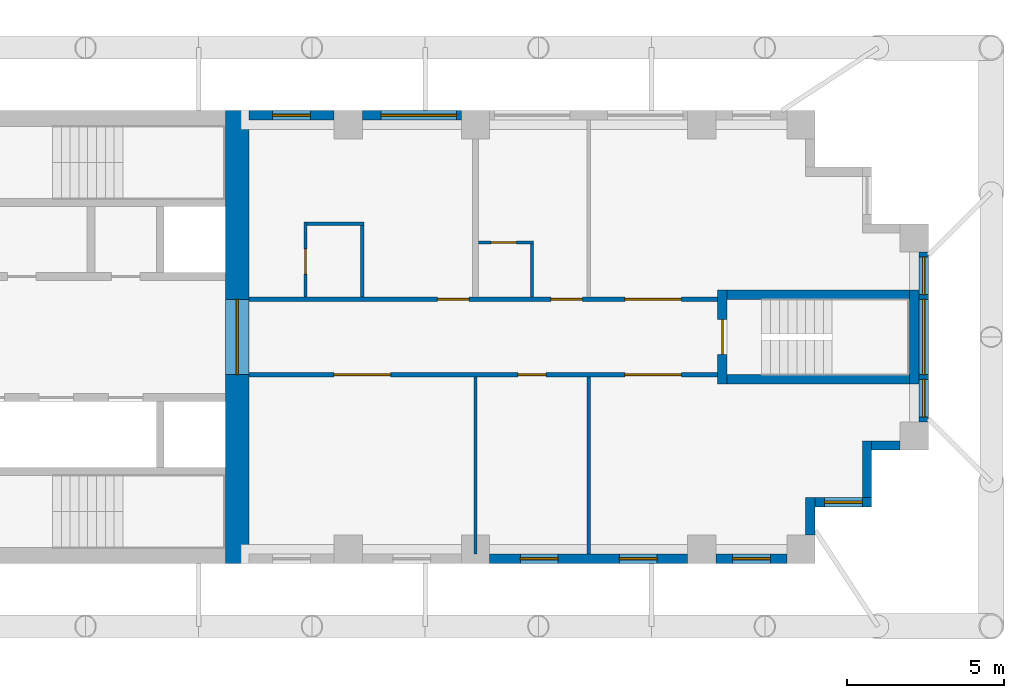
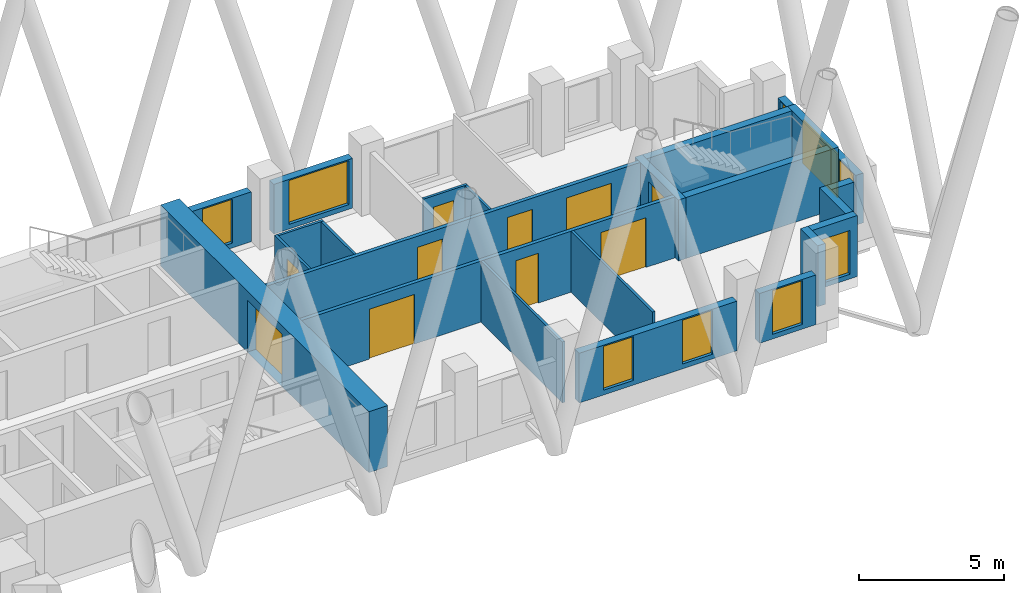
# One storey, part 10 of 14: 23 walls, 10 doors, 9 windows, 19 openings.
"""IFC4 building model written with IfcOpenShell, lengths in metres."""

import ifcopenshell
import ifcopenshell.guid

model = None  # the IFC model being written
_history = None  # IfcOwnerHistory: only IFC2X3 demands one
_inside = {}  # id of a spatial element -> (the spatial element, [elements in it])
_under = {}  # id of a project, library or spatial element -> (it, [spatial elements below it])
_declared = {}  # id of a project -> (the project, [libraries it declares])
_typed = {}  # id of a type object -> (the type object, [elements of that type])
_made_of = {}  # id of a material, layer set ... -> (it, [elements and type objects made of it])


def new_model(schema):
    """Start an empty IFC model of exactly this schema.

    Asked for "IFC4X3", IfcOpenShell would pick the latest addendum, in which some entities
    have other attributes; the version numbers below select the first issue.
    IFC2X3 requires an IfcOwnerHistory on every rooted entity: one is made here for all.
    """
    global model, _history
    if schema == "IFC4X3":
        model = ifcopenshell.file(schema_version=(4, 3, 0, 0))
    else:
        model = ifcopenshell.file(schema=schema)
    _inside.clear()
    _under.clear()
    _declared.clear()
    _typed.clear()
    _made_of.clear()
    _history = None
    if model.schema == "IFC2X3":
        org = make("IfcOrganization", Name="unknown")
        user = make(
            "IfcPersonAndOrganization",
            ThePerson=make("IfcPerson", FamilyName="unknown"),
            TheOrganization=org,
        )
        app = make(
            "IfcApplication",
            ApplicationDeveloper=org,
            Version="unknown",
            ApplicationFullName="unknown",
            ApplicationIdentifier="unknown",
        )
        _history = make(
            "IfcOwnerHistory",
            OwningUser=user,
            OwningApplication=app,
            ChangeAction="ADDED",
            CreationDate=0,
        )
    return model


def make(cls, **values):
    """One entity of the class cls with the attributes given. An attribute that is None is left unset."""
    return model.create_entity(
        cls, **{name: value for name, value in values.items() if value is not None}
    )


def rooted(cls, **values):
    """An entity with a GlobalId (a new one), such as an element, a storey or a relation."""
    return make(cls, GlobalId=ifcopenshell.guid.new(), OwnerHistory=_history, **values)


def si_unit(unit_type, name, prefix=None):
    """IfcSIUnit, for example si_unit("LENGTHUNIT", "METRE", prefix="MILLI")."""
    return make("IfcSIUnit", UnitType=unit_type, Prefix=prefix, Name=name)


def assignment(units):
    """IfcUnitAssignment: the units of a project."""
    return None if units is None else make("IfcUnitAssignment", Units=units)


def point(xyz):
    """IfcCartesianPoint."""
    return None if xyz is None else make("IfcCartesianPoint", Coordinates=xyz)


def direction(xyz):
    """IfcDirection."""
    return None if xyz is None else make("IfcDirection", DirectionRatios=xyz)


def frame(location, z_axis=None, x_axis=None):
    """IfcAxis2Placement3D, a coordinate frame: its origin and axes. An axis left out is left unset."""
    return make(
        "IfcAxis2Placement3D",
        Location=point(location),
        Axis=direction(z_axis),
        RefDirection=direction(x_axis),
    )


def frame_2d(location, x_axis=None):
    """IfcAxis2Placement2D, a coordinate frame in the plane: its origin and x axis."""
    return make(
        "IfcAxis2Placement2D", Location=point(location), RefDirection=direction(x_axis)
    )


def origin():
    """The frame at (0, 0, 0) with its axes left unset."""
    return frame((0.0, 0.0, 0.0))


def place(relative_to, where):
    """IfcLocalPlacement: puts the frame where relative to a parent placement (None: the world)."""
    return make(
        "IfcLocalPlacement", PlacementRelTo=relative_to, RelativePlacement=where
    )


def context(
    kind, dimensions, precision=None, world=None, true_north=None, identifier=None
):
    """IfcGeometricRepresentationContext, for example the 3D "Model" context."""
    return make(
        "IfcGeometricRepresentationContext",
        ContextIdentifier=identifier,
        ContextType=kind,
        CoordinateSpaceDimension=dimensions,
        Precision=precision,
        WorldCoordinateSystem=world,
        TrueNorth=true_north,
    )


def subcontext(parent, identifier, kind, view, scale=None):
    """IfcGeometricRepresentationSubContext, for example "Body" below "Model"."""
    return make(
        "IfcGeometricRepresentationSubContext",
        ContextIdentifier=identifier,
        ContextType=kind,
        ParentContext=parent,
        TargetScale=scale,
        TargetView=view,
    )


def project(units=None, contexts=None):
    """IfcProject with its units and contexts."""
    return rooted(
        "IfcProject",
        Name="project",
        RepresentationContexts=contexts,
        UnitsInContext=assignment(units),
    )


def spatial(cls, under=None, at=None, **own):
    """A site, building, storey or space (cls), placed at a placement, below another one or the project."""
    s = rooted(cls, ObjectPlacement=at, **own)
    if under is not None:
        _under.setdefault(under.id(), (under, []))[1].append(s)
    return s


def profile(cls, at=None, kind="AREA", **sizes):
    """A parametric profile (cls). Its sizes go by their IFC names, for example OverallWidth=200.0."""
    return make(cls, ProfileType=kind, Position=at, **sizes)


def rectangle(**sizes):
    """IfcRectangleProfileDef."""
    return profile("IfcRectangleProfileDef", **sizes)


def extrude(swept, where, along, depth):
    """IfcExtrudedAreaSolid: the profile swept, set in the frame where, extruded along a direction by depth."""
    return make(
        "IfcExtrudedAreaSolid",
        SweptArea=swept,
        Position=where,
        ExtrudedDirection=direction(along),
        Depth=depth,
    )


def shape(context_of_items, identifier, shape_type, items):
    """IfcShapeRepresentation: the items that make up one representation, for example the "Body"."""
    return make(
        "IfcShapeRepresentation",
        ContextOfItems=context_of_items,
        RepresentationIdentifier=identifier,
        RepresentationType=shape_type,
        Items=items,
    )


def material(Name=None, Category=None):
    """IfcMaterial."""
    return make("IfcMaterial", Name=Name, Category=Category)


def layer(
    of_material, thickness, ventilated=None, Name=None, Category=None, Priority=None
):
    """IfcMaterialLayer: one layer of a wall or slab, of a material (None: an air gap)."""
    return make(
        "IfcMaterialLayer",
        Material=of_material,
        LayerThickness=thickness,
        IsVentilated=ventilated,
        Name=Name,
        Category=Category,
        Priority=Priority,
    )


def layer_set(layers, Name=None):
    """IfcMaterialLayerSet."""
    return make("IfcMaterialLayerSet", MaterialLayers=layers, LayerSetName=Name)


def made_of(thing, what):
    """Note that an element or type object is made of a material, layer set ...; save() writes the relation."""
    if what is not None:
        _made_of.setdefault(what.id(), (what, []))[1].append(thing)
    return thing


def type_object(cls, material=None, **own):
    """A type object (cls), such as IfcWallType, which elements share."""
    return made_of(rooted(cls, **own), material)


def element(
    cls,
    number,
    at=None,
    inside=None,
    cuts=None,
    type_object=None,
    material=None,
    context=None,
    identifier="Body",
    shape_type=None,
    held_by="IfcProductDefinitionShape",
    body=None,
    shapes=None,
    **own,
):
    """One element of the class cls, such as IfcWall. Its Tag is "e" and its number.

    at: its placement. inside: the storey or other place that contains it. cuts: it is an
    opening in that element (IfcRelVoidsElement). A single representation is given by context,
    identifier, shape_type and body (its items); several are given by shapes. held_by: the class
    of the entity that holds the representations. save() writes the other relations.
    """
    e = rooted(cls, Tag="e%d" % number, ObjectPlacement=at, **own)
    if body is not None:
        shapes = [shape(context, identifier, shape_type, body)]
    if shapes is not None:
        e.Representation = make(held_by, Representations=shapes)
    if inside is not None:
        _inside.setdefault(inside.id(), (inside, []))[1].append(e)
    if cuts is not None:
        rooted(
            "IfcRelVoidsElement", RelatingBuildingElement=cuts, RelatedOpeningElement=e
        )
    if type_object is not None:
        _typed.setdefault(type_object.id(), (type_object, []))[1].append(e)
    return made_of(e, material)


def fill(opening, filler):
    """IfcRelFillsElement: the door or window that sits in an opening."""
    return rooted(
        "IfcRelFillsElement",
        RelatingOpeningElement=opening,
        RelatedBuildingElement=filler,
    )


def aggregate(whole, parts):
    """IfcRelAggregates: a whole, such as a stair, and the parts it consists of."""
    return rooted("IfcRelAggregates", RelatingObject=whole, RelatedObjects=parts)


def save(model, path):
    """Write the relations noted so far, then the file.

    IfcRelAggregates (storeys below a building ...), IfcRelContainedInSpatialStructure (elements
    in a storey), IfcRelDefinesByType, IfcRelAssociatesMaterial and IfcRelDeclares: one each for
    every whole, place, type object, material and project.
    """
    for whole, parts in _under.values():
        aggregate(whole, parts)
    for where, things in _inside.values():
        rooted(
            "IfcRelContainedInSpatialStructure",
            RelatedElements=things,
            RelatingStructure=where,
        )
    for kind, things in _typed.values():
        rooted("IfcRelDefinesByType", RelatedObjects=things, RelatingType=kind)
    for what, things in _made_of.values():
        rooted("IfcRelAssociatesMaterial", RelatedObjects=things, RelatingMaterial=what)
    for by, libraries in _declared.values():
        rooted("IfcRelDeclares", RelatingContext=by, RelatedDefinitions=libraries)
    model.write(path)


model = new_model("IFC4")

# Units and contexts
model_context = context("Model", 3, precision=1e-05, world=origin(), true_north=direction((0.0, 1.0)))
body_context = subcontext(model_context, "Body", "Model", "MODEL_VIEW")
ifc_project = project(units=[si_unit("LENGTHUNIT", "METRE"), si_unit("AREAUNIT", "SQUARE_METRE"), si_unit("VOLUMEUNIT", "CUBIC_METRE"), si_unit("PLANEANGLEUNIT", "RADIAN"), si_unit("MASSUNIT", "GRAM", prefix="KILO")], contexts=[model_context])

# Site, building, storey
site_placement = place(None, origin())
site = spatial("IfcSite", under=ifc_project, at=site_placement, CompositionType="ELEMENT")
building_placement = place(site_placement, origin())
building = spatial("IfcBuilding", under=site, at=building_placement, Name="Fustian Cross Tower", CompositionType="ELEMENT")
storey_placement = place(building_placement, frame((0.0, 0.0, 90.89990234375)))
storey = spatial("IfcBuildingStorey", under=building, at=storey_placement, Name="L28", CompositionType="ELEMENT", Elevation=90.89990234375)

# Wall, openings, doors
ifc_material_1 = material(Name="Plasterboard on steel stud", Category="steel")
ifc_layer_1 = layer(ifc_material_1, 0.14990234375)
ifc_layer_set_1 = layer_set([ifc_layer_1], Name="Plasterboard on steel stud")
wall_type_1 = type_object("IfcWallType", Name="COMPARTMENT WALL 150 EI 60", PredefinedType="PARTITIONING", material=ifc_layer_set_1)
wall_1_placement = place(storey_placement, frame((21.60009765625, -1.199951171875, 0.0), z_axis=(0.0, 0.0, 1.0), x_axis=(1.0, 0.0, 0.0)))
wall_1 = element("IfcWall", 1, at=wall_1_placement, inside=storey, type_object=wall_type_1, Name="Partition 70", PredefinedType="PARTITIONING", context=body_context, shape_type="SweptSolid", body=[
    extrude(rectangle(XDim=14.89990234375, YDim=0.14990234375, at=frame_2d((7.449951171875, 0.0))), origin(), (0.0, 0.0, 1.0), 2.5751953125),
])
opening_1_placement = place(wall_1_placement, frame((2.699951171875, 0.0, 0.0)))
opening_1 = element("IfcOpeningElement", 2, at=opening_1_placement, cuts=wall_1, Name="Opening D13014", PredefinedType="OPENING", context=body_context, shape_type="SweptSolid", body=[
    extrude(rectangle(XDim=1.800048828125, YDim=2.10009765625, at=frame_2d((0.89990234375, 1.050048828125))), frame((0.0, 0.0849609375, 0.0), z_axis=(0.0, -1.0, 0.0), x_axis=(1.0, 0.0, 0.0)), (0.0, 0.0, 1.0), 0.169921875),
])
opening_2_placement = place(wall_1_placement, frame((8.550048828125, 0.0, 0.0)))
opening_2 = element("IfcOpeningElement", 3, at=opening_2_placement, cuts=wall_1, Name="Opening D13015", PredefinedType="OPENING", context=body_context, shape_type="SweptSolid", body=[
    extrude(rectangle(XDim=0.89990234375, YDim=2.10009765625, at=frame_2d((0.449951171875, 1.050048828125))), frame((0.0, 0.0849609375, 0.0), z_axis=(0.0, -1.0, 0.0), x_axis=(1.0, 0.0, 0.0)), (0.0, 0.0, 1.0), 0.169921875),
])
opening_3_placement = place(wall_1_placement, frame((11.949951171875, 0.0, 0.0)))
opening_3 = element("IfcOpeningElement", 4, at=opening_3_placement, cuts=wall_1, Name="Opening D13016", PredefinedType="OPENING", context=body_context, shape_type="SweptSolid", body=[
    extrude(rectangle(XDim=1.800048828125, YDim=2.10009765625, at=frame_2d((0.89990234375, 1.050048828125))), frame((0.0, 0.0849609375, 0.0), z_axis=(0.0, -1.0, 0.0), x_axis=(1.0, 0.0, 0.0)), (0.0, 0.0, 1.0), 0.169921875),
])
ifc_material_2 = material(Name="Timber fire door set", Category="wood")
door_type_1 = type_object("IfcDoorType", Name="FIRE DOUBLE DOOR 1800 FD30S", OperationType="DOUBLE_DOOR_DOUBLE_SWING", PredefinedType="DOOR", material=ifc_material_2)
door_1_placement = place(opening_1_placement, origin())
door_1 = element("IfcDoor", 5, at=door_1_placement, inside=storey, type_object=door_type_1, Name="Door D13014", OperationType="DOUBLE_DOOR_DOUBLE_SWING", OverallHeight=2.10009765625, OverallWidth=1.800048828125, PredefinedType="DOOR", context=body_context, shape_type="SweptSolid", body=[
    extrude(rectangle(XDim=1.800048828125, YDim=2.10009765625, at=frame_2d((0.89990234375, 1.050048828125))), frame((0.0, 0.02490234375, 0.0), z_axis=(0.0, -1.0, 0.0), x_axis=(1.0, 0.0, 0.0)), (0.0, 0.0, 1.0), 0.050048828125),
])
fill(opening_1, door_1)
door_2_placement = place(opening_3_placement, origin())
door_2 = element("IfcDoor", 6, at=door_2_placement, inside=storey, type_object=door_type_1, Name="Door D13016", OperationType="DOUBLE_DOOR_DOUBLE_SWING", OverallHeight=2.10009765625, OverallWidth=1.800048828125, PredefinedType="DOOR", context=body_context, shape_type="SweptSolid", body=[
    extrude(rectangle(XDim=1.800048828125, YDim=2.10009765625, at=frame_2d((0.89990234375, 1.050048828125))), frame((0.0, 0.02490234375, 0.0), z_axis=(0.0, -1.0, 0.0), x_axis=(1.0, 0.0, 0.0)), (0.0, 0.0, 1.0), 0.050048828125),
])
fill(opening_3, door_2)
ifc_material_3 = material(Name="Timber fire door set", Category="wood")
door_type_2 = type_object("IfcDoorType", Name="FIRE SWING DOOR 900 FD30S", OperationType="SINGLE_SWING_LEFT", PredefinedType="DOOR", material=ifc_material_3)
door_3_placement = place(opening_2_placement, frame((0.89990234375, 0.0, 0.0), z_axis=(0.0, 0.0, 1.0), x_axis=(-1.0, 0.0, 0.0)))
door_3 = element("IfcDoor", 7, at=door_3_placement, inside=storey, type_object=door_type_2, Name="Door D13015", OperationType="SINGLE_SWING_RIGHT", OverallHeight=2.10009765625, OverallWidth=0.89990234375, PredefinedType="DOOR", context=body_context, shape_type="SweptSolid", body=[
    extrude(rectangle(XDim=0.89990234375, YDim=2.10009765625, at=frame_2d((0.449951171875, 1.050048828125))), frame((0.0, 0.02490234375, 0.0), z_axis=(0.0, -1.0, 0.0), x_axis=(1.0, 0.0, 0.0)), (0.0, 0.0, 1.0), 0.050048828125),
])
fill(opening_2, door_3)

wall_2_placement = place(storey_placement, frame((21.60009765625, 1.199951171875, 0.0), z_axis=(0.0, 0.0, 1.0), x_axis=(1.0, 0.0, 0.0)))
wall_2 = element("IfcWall", 8, at=wall_2_placement, inside=storey, type_object=wall_type_1, Name="Partition 71", PredefinedType="PARTITIONING", context=body_context, shape_type="SweptSolid", body=[
    extrude(rectangle(XDim=14.89990234375, YDim=0.14990234375, at=frame_2d((7.449951171875, 0.0))), origin(), (0.0, 0.0, 1.0), 2.5751953125),
])
opening_4_placement = place(wall_2_placement, frame((6.0, 0.0, 0.0)))
opening_4 = element("IfcOpeningElement", 9, at=opening_4_placement, cuts=wall_2, Name="Opening D13010", PredefinedType="OPENING", context=body_context, shape_type="SweptSolid", body=[
    extrude(rectangle(XDim=1.0, YDim=2.10009765625, at=frame_2d((0.5, 1.050048828125))), frame((0.0, 0.0849609375, 0.0), z_axis=(0.0, -1.0, 0.0), x_axis=(1.0, 0.0, 0.0)), (0.0, 0.0, 1.0), 0.169921875),
])
opening_5_placement = place(wall_2_placement, frame((9.60009765625, 0.0, 0.0)))
opening_5 = element("IfcOpeningElement", 10, at=opening_5_placement, cuts=wall_2, Name="Opening D13012", PredefinedType="OPENING", context=body_context, shape_type="SweptSolid", body=[
    extrude(rectangle(XDim=1.0, YDim=2.10009765625, at=frame_2d((0.5, 1.050048828125))), frame((0.0, 0.0849609375, 0.0), z_axis=(0.0, -1.0, 0.0), x_axis=(1.0, 0.0, 0.0)), (0.0, 0.0, 1.0), 0.169921875),
])
opening_6_placement = place(wall_2_placement, frame((11.949951171875, 0.0, 0.0)))
opening_6 = element("IfcOpeningElement", 11, at=opening_6_placement, cuts=wall_2, Name="Opening D13013", PredefinedType="OPENING", context=body_context, shape_type="SweptSolid", body=[
    extrude(rectangle(XDim=1.800048828125, YDim=2.10009765625, at=frame_2d((0.89990234375, 1.050048828125))), frame((0.0, 0.0849609375, 0.0), z_axis=(0.0, -1.0, 0.0), x_axis=(1.0, 0.0, 0.0)), (0.0, 0.0, 1.0), 0.169921875),
])
door_4_placement = place(opening_6_placement, frame((1.800048828125, 0.0, 0.0), z_axis=(0.0, 0.0, 1.0), x_axis=(-1.0, 0.0, 0.0)))
door_4 = element("IfcDoor", 12, at=door_4_placement, inside=storey, type_object=door_type_1, Name="Door D13013", OperationType="DOUBLE_DOOR_DOUBLE_SWING", OverallHeight=2.10009765625, OverallWidth=1.800048828125, PredefinedType="DOOR", context=body_context, shape_type="SweptSolid", body=[
    extrude(rectangle(XDim=1.800048828125, YDim=2.10009765625, at=frame_2d((0.89990234375, 1.050048828125))), frame((0.0, 0.02490234375, 0.0), z_axis=(0.0, -1.0, 0.0), x_axis=(1.0, 0.0, 0.0)), (0.0, 0.0, 1.0), 0.050048828125),
])
fill(opening_6, door_4)
ifc_material_4 = material(Name="Timber fire door set", Category="wood")
door_type_3 = type_object("IfcDoorType", Name="FIRE SWING DOOR 1000 FD30S", OperationType="SINGLE_SWING_LEFT", PredefinedType="DOOR", material=ifc_material_4)
door_5_placement = place(opening_4_placement, origin())
door_5 = element("IfcDoor", 13, at=door_5_placement, inside=storey, type_object=door_type_3, Name="Door D13010", OperationType="SINGLE_SWING_RIGHT", OverallHeight=2.10009765625, OverallWidth=1.0, PredefinedType="DOOR", context=body_context, shape_type="SweptSolid", body=[
    extrude(rectangle(XDim=1.0, YDim=2.10009765625, at=frame_2d((0.5, 1.050048828125))), frame((0.0, 0.02490234375, 0.0), z_axis=(0.0, -1.0, 0.0), x_axis=(1.0, 0.0, 0.0)), (0.0, 0.0, 1.0), 0.050048828125),
])
fill(opening_4, door_5)
door_6_placement = place(opening_5_placement, origin())
door_6 = element("IfcDoor", 14, at=door_6_placement, inside=storey, type_object=door_type_3, Name="Door D13012", OperationType="SINGLE_SWING_RIGHT", OverallHeight=2.10009765625, OverallWidth=1.0, PredefinedType="DOOR", context=body_context, shape_type="SweptSolid", body=[
    extrude(rectangle(XDim=1.0, YDim=2.10009765625, at=frame_2d((0.5, 1.050048828125))), frame((0.0, 0.02490234375, 0.0), z_axis=(0.0, -1.0, 0.0), x_axis=(1.0, 0.0, 0.0)), (0.0, 0.0, 1.0), 0.050048828125),
])
fill(opening_5, door_6)

# Wall, opening, door
ifc_material_5 = material(Name="Concrete C70/85", Category="concrete")
ifc_layer_2 = layer(ifc_material_5, 0.75)
ifc_layer_set_2 = layer_set([ifc_layer_2], Name="Concrete C70/85")
wall_type_2 = type_object("IfcWallType", Name="CORE END WALL 750 C70/85", PredefinedType="SHEAR", material=ifc_layer_set_2)
wall_3_placement = place(storey_placement, frame((21.22509765625, -7.199951171875, 0.0), z_axis=(0.0, 0.0, 1.0), x_axis=(0.0, 1.0, 0.0)))
wall_3 = element("IfcWall", 15, at=wall_3_placement, inside=storey, type_object=wall_type_2, Name="Core end wall", PredefinedType="SHEAR", context=body_context, shape_type="SweptSolid", body=[
    extrude(rectangle(XDim=14.39990234375, YDim=0.75, at=frame_2d((7.199951171875, 0.0))), origin(), (0.0, 0.0, 1.0), 2.5751953125),
])
opening_7_placement = place(wall_3_placement, frame((6.0, 0.0, 0.0)))
opening_7 = element("IfcOpeningElement", 16, at=opening_7_placement, cuts=wall_3, Name="Opening CD-11-13", PredefinedType="OPENING", context=body_context, shape_type="SweptSolid", body=[
    extrude(rectangle(XDim=2.39990234375, YDim=2.199951171875, at=frame_2d((1.199951171875, 1.10009765625))), frame((0.0, 0.385009765625, 0.0), z_axis=(0.0, -1.0, 0.0), x_axis=(1.0, 0.0, 0.0)), (0.0, 0.0, 1.0), 0.77001953125),
])
ifc_material_6 = material(Name="Steel", Category="steel")
door_type_4 = type_object("IfcDoorType", Name="FIRE DOOR FD30S DOUBLE 2400X2200", OperationType="DOUBLE_DOOR_DOUBLE_SWING", PredefinedType="DOOR", material=ifc_material_6)
door_7_placement = place(opening_7_placement, origin())
door_7 = element("IfcDoor", 17, at=door_7_placement, inside=storey, type_object=door_type_4, Name="Core door CD-11-13", OperationType="DOUBLE_DOOR_DOUBLE_SWING", OverallHeight=2.199951171875, OverallWidth=2.39990234375, PredefinedType="DOOR", context=body_context, shape_type="SweptSolid", body=[
    extrude(rectangle(XDim=2.39990234375, YDim=2.199951171875, at=frame_2d((1.199951171875, 1.10009765625))), frame((0.0, 0.02490234375, 0.0), z_axis=(0.0, -1.0, 0.0), x_axis=(1.0, 0.0, 0.0)), (0.0, 0.0, 1.0), 0.050048828125),
])
fill(opening_7, door_7)

ifc_material_7 = material(Name="Plasterboard on steel stud", Category="steel")
ifc_layer_3 = layer(ifc_material_7, 0.10009765625)
ifc_layer_set_3 = layer_set([ifc_layer_3], Name="Plasterboard on steel stud")
wall_type_3 = type_object("IfcWallType", Name="PARTITION 100 STUD", PredefinedType="PARTITIONING", material=ifc_layer_set_3)
wall_4_placement = place(storey_placement, frame((23.39990234375, 1.27490234375, 0.0), z_axis=(0.0, 0.0, 1.0), x_axis=(0.0, 1.0, 0.0)))
wall_4 = element("IfcWall", 18, at=wall_4_placement, inside=storey, type_object=wall_type_3, Name="Partition 72", PredefinedType="PARTITIONING", context=body_context, shape_type="SweptSolid", body=[
    extrude(rectangle(XDim=2.375, YDim=0.10009765625, at=frame_2d((1.1875, 0.0))), origin(), (0.0, 0.0, 1.0), 2.5751953125),
])
opening_8_placement = place(wall_4_placement, frame((0.72509765625, 0.0, 0.0)))
opening_8 = element("IfcOpeningElement", 19, at=opening_8_placement, cuts=wall_4, Name="Opening D13009", PredefinedType="OPENING", context=body_context, shape_type="SweptSolid", body=[
    extrude(rectangle(XDim=0.800048828125, YDim=2.10009765625, at=frame_2d((0.39990234375, 1.050048828125))), frame((0.0, 0.06005859375, 0.0), z_axis=(0.0, -1.0, 0.0), x_axis=(1.0, 0.0, 0.0)), (0.0, 0.0, 1.0), 0.1201171875),
])
ifc_material_8 = material(Name="Painted timber", Category="wood")
door_type_5 = type_object("IfcDoorType", Name="SWING DOOR 800", OperationType="SINGLE_SWING_LEFT", PredefinedType="DOOR", material=ifc_material_8)
door_8_placement = place(opening_8_placement, frame((0.800048828125, 0.0, 0.0), z_axis=(0.0, 0.0, 1.0), x_axis=(-1.0, 0.0, 0.0)))
door_8 = element("IfcDoor", 20, at=door_8_placement, inside=storey, type_object=door_type_5, Name="Door D13009", OperationType="SINGLE_SWING_RIGHT", OverallHeight=2.10009765625, OverallWidth=0.800048828125, PredefinedType="DOOR", context=body_context, shape_type="SweptSolid", body=[
    extrude(rectangle(XDim=0.800048828125, YDim=2.10009765625, at=frame_2d((0.39990234375, 1.050048828125))), frame((0.0, 0.02490234375, 0.0), z_axis=(0.0, -1.0, 0.0), x_axis=(1.0, 0.0, 0.0)), (0.0, 0.0, 1.0), 0.050048828125),
])
fill(opening_8, door_8)

# Walls
wall_5_placement = place(storey_placement, frame((23.449951171875, 3.60009765625, 0.0), z_axis=(0.0, 0.0, 1.0), x_axis=(1.0, 0.0, 0.0)))
element("IfcWall", 21, at=wall_5_placement, inside=storey, type_object=wall_type_3, Name="Partition 73", PredefinedType="PARTITIONING", context=body_context, shape_type="SweptSolid", body=[
    extrude(rectangle(XDim=1.800048828125, YDim=0.10009765625, at=frame_2d((0.89990234375, 0.0))), origin(), (0.0, 0.0, 1.0), 2.5751953125),
])
wall_6_placement = place(storey_placement, frame((25.199951171875, 1.27490234375, 0.0), z_axis=(0.0, 0.0, 1.0), x_axis=(0.0, 1.0, 0.0)))
element("IfcWall", 22, at=wall_6_placement, inside=storey, type_object=wall_type_3, Name="Partition 74", PredefinedType="PARTITIONING", context=body_context, shape_type="SweptSolid", body=[
    extrude(rectangle(XDim=2.275146484375, YDim=0.10009765625, at=frame_2d((1.1376953125, 0.0))), origin(), (0.0, 0.0, 1.0), 2.5751953125),
])
wall_7_placement = place(storey_placement, frame((28.800048828125, -6.89990234375, 0.0), z_axis=(0.0, 0.0, 1.0), x_axis=(0.0, 1.0, 0.0)))
element("IfcWall", 23, at=wall_7_placement, inside=storey, type_object=wall_type_3, Name="Partition 75", PredefinedType="PARTITIONING", context=body_context, shape_type="SweptSolid", body=[
    extrude(rectangle(XDim=5.625, YDim=0.10009765625, at=frame_2d((2.8125, 0.0))), origin(), (0.0, 0.0, 1.0), 2.5751953125),
])

# Wall, opening, door
wall_8_placement = place(storey_placement, frame((28.89990234375, 3.0, 0.0), z_axis=(0.0, 0.0, 1.0), x_axis=(1.0, 0.0, 0.0)))
wall_8 = element("IfcWall", 24, at=wall_8_placement, inside=storey, type_object=wall_type_3, Name="Partition 77", PredefinedType="PARTITIONING", context=body_context, shape_type="SweptSolid", body=[
    extrude(rectangle(XDim=1.75, YDim=0.10009765625, at=frame_2d((0.875, 0.0))), origin(), (0.0, 0.0, 1.0), 2.5751953125),
])
opening_9_placement = place(wall_8_placement, frame((0.39990234375, 0.0, 0.0)))
opening_9 = element("IfcOpeningElement", 25, at=opening_9_placement, cuts=wall_8, Name="Opening D13011", PredefinedType="OPENING", context=body_context, shape_type="SweptSolid", body=[
    extrude(rectangle(XDim=0.800048828125, YDim=2.10009765625, at=frame_2d((0.39990234375, 1.050048828125))), frame((0.0, 0.06005859375, 0.0), z_axis=(0.0, -1.0, 0.0), x_axis=(1.0, 0.0, 0.0)), (0.0, 0.0, 1.0), 0.1201171875),
])
door_9_placement = place(opening_9_placement, frame((0.800048828125, 0.0, 0.0), z_axis=(0.0, 0.0, 1.0), x_axis=(-1.0, 0.0, 0.0)))
door_9 = element("IfcDoor", 26, at=door_9_placement, inside=storey, type_object=door_type_5, Name="Door D13011", OperationType="SINGLE_SWING_LEFT", OverallHeight=2.10009765625, OverallWidth=0.800048828125, PredefinedType="DOOR", context=body_context, shape_type="SweptSolid", body=[
    extrude(rectangle(XDim=0.800048828125, YDim=2.10009765625, at=frame_2d((0.39990234375, 1.050048828125))), frame((0.0, 0.02490234375, 0.0), z_axis=(0.0, -1.0, 0.0), x_axis=(1.0, 0.0, 0.0)), (0.0, 0.0, 1.0), 0.050048828125),
])
fill(opening_9, door_9)

# Walls
wall_9_placement = place(storey_placement, frame((30.60009765625, 1.27490234375, 0.0), z_axis=(0.0, 0.0, 1.0), x_axis=(0.0, 1.0, 0.0)))
element("IfcWall", 27, at=wall_9_placement, inside=storey, type_object=wall_type_3, Name="Partition 78", PredefinedType="PARTITIONING", context=body_context, shape_type="SweptSolid", body=[
    extrude(rectangle(XDim=1.675048828125, YDim=0.10009765625, at=frame_2d((0.83740234375, 0.0))), origin(), (0.0, 0.0, 1.0), 2.5751953125),
])
wall_10_placement = place(storey_placement, frame((32.39990234375, -6.89990234375, 0.0), z_axis=(0.0, 0.0, 1.0), x_axis=(0.0, 1.0, 0.0)))
element("IfcWall", 28, at=wall_10_placement, inside=storey, type_object=wall_type_3, Name="Partition 79", PredefinedType="PARTITIONING", context=body_context, shape_type="SweptSolid", body=[
    extrude(rectangle(XDim=5.625, YDim=0.10009765625, at=frame_2d((2.8125, 0.0))), origin(), (0.0, 0.0, 1.0), 2.5751953125),
])

# Wall, opening, door
ifc_material_9 = material(Name="Concrete C50/60", Category="concrete")
ifc_layer_4 = layer(ifc_material_9, 0.300048828125)
ifc_layer_set_4 = layer_set([ifc_layer_4], Name="Concrete C50/60")
wall_type_4 = type_object("IfcWallType", Name="STAIR ENCLOSURE WALL 300 C50/60", PredefinedType="SHEAR", material=ifc_layer_set_4)
wall_11_placement = place(storey_placement, frame((36.64990234375, -1.5, 0.0), z_axis=(0.0, 0.0, 1.0), x_axis=(0.0, 1.0, 0.0)))
wall_11 = element("IfcWall", 29, at=wall_11_placement, inside=storey, type_object=wall_type_4, Name="Stair enclosure wall", PredefinedType="SHEAR", context=body_context, shape_type="SweptSolid", body=[
    extrude(rectangle(XDim=3.0, YDim=0.300048828125, at=frame_2d((1.5, 0.0))), origin(), (0.0, 0.0, 1.0), 2.5751953125),
])
opening_10_placement = place(wall_11_placement, frame((0.949951171875, 0.0, 0.0)))
opening_10 = element("IfcOpeningElement", 30, at=opening_10_placement, cuts=wall_11, Name="Opening CD-11-32", PredefinedType="OPENING", context=body_context, shape_type="SweptSolid", body=[
    extrude(rectangle(XDim=1.10009765625, YDim=2.10009765625, at=frame_2d((0.550048828125, 1.050048828125))), frame((0.0, 0.159912109375, 0.0), z_axis=(0.0, -1.0, 0.0), x_axis=(1.0, 0.0, 0.0)), (0.0, 0.0, 1.0), 0.320068359375),
])
ifc_material_10 = material(Name="Steel", Category="steel")
door_type_6 = type_object("IfcDoorType", Name="FIRE DOOR FD60S 1100X2100", OperationType="SINGLE_SWING_LEFT", PredefinedType="DOOR", material=ifc_material_10)
door_10_placement = place(opening_10_placement, frame((1.10009765625, 0.0, 0.0), z_axis=(0.0, 0.0, 1.0), x_axis=(-1.0, 0.0, 0.0)))
door_10 = element("IfcDoor", 31, at=door_10_placement, inside=storey, type_object=door_type_6, Name="Core door CD-11-32", OperationType="SINGLE_SWING_RIGHT", OverallHeight=2.10009765625, OverallWidth=1.10009765625, PredefinedType="DOOR", context=body_context, shape_type="SweptSolid", body=[
    extrude(rectangle(XDim=1.10009765625, YDim=2.10009765625, at=frame_2d((0.550048828125, 1.050048828125))), frame((0.0, 0.02490234375, 0.0), z_axis=(0.0, -1.0, 0.0), x_axis=(1.0, 0.0, 0.0)), (0.0, 0.0, 1.0), 0.050048828125),
])
fill(opening_10, door_10)

# Walls
wall_12_placement = place(storey_placement, frame((42.75, -1.5, 0.0), z_axis=(0.0, 0.0, 1.0), x_axis=(0.0, 1.0, 0.0)))
element("IfcWall", 32, at=wall_12_placement, inside=storey, type_object=wall_type_4, Name="Stair enclosure wall", PredefinedType="SHEAR", context=body_context, shape_type="SweptSolid", body=[
    extrude(rectangle(XDim=3.0, YDim=0.300048828125, at=frame_2d((1.5, 0.0))), origin(), (0.0, 0.0, 1.0), 2.5751953125),
])
for number, where, z_axis, x_axis, name in (
    (33, (36.800048828125, -1.35009765625, 0.0), (0.0, 0.0, 1.0), (1.0, 0.0, 0.0), "Stair enclosure wall"),
    (34, (36.800048828125, 1.35009765625, 0.0), (0.0, 0.0, 1.0), (1.0, 0.0, 0.0), "Stair enclosure wall"),
):
    element("IfcWall", number, at=place(storey_placement, frame(where, z_axis=z_axis, x_axis=x_axis)), inside=storey, type_object=wall_type_4, Name=name, PredefinedType="SHEAR", context=body_context, shape_type="SweptSolid", body=[
        extrude(rectangle(XDim=5.800048828125, YDim=0.300048828125, at=frame_2d((2.89990234375, 0.0))), origin(), (0.0, 0.0, 1.0), 2.5751953125),
    ])

# Wall, openings, windows
ifc_material_11 = material(Name="Dark aluminium cladding on insulated backing wall", Category="aluminium")
ifc_layer_5 = layer(ifc_material_11, 0.300048828125)
ifc_layer_set_5 = layer_set([ifc_layer_5], Name="Dark aluminium cladding on insulated backing wall")
wall_type_5 = type_object("IfcWallType", Name="XW1 EXTERNAL WALL 300", PredefinedType="SOLIDWALL", material=ifc_layer_set_5)
wall_13_placement = place(storey_placement, frame((29.25, -7.050048828125, 0.0), z_axis=(0.0, 0.0, 1.0), x_axis=(1.0, 0.0, 0.0)))
wall_13 = element("IfcWall", 35, at=wall_13_placement, inside=storey, type_object=wall_type_5, Name="External wall", PredefinedType="SOLIDWALL", context=body_context, shape_type="SweptSolid", body=[
    extrude(rectangle(XDim=6.300048828125, YDim=0.300048828125, at=frame_2d((3.14990234375, 0.0))), origin(), (0.0, 0.0, 1.0), 2.10009765625),
])
opening_11_placement = place(wall_13_placement, frame((0.97509765625, 0.0, 0.199951171875)))
opening_11 = element("IfcOpeningElement", 36, at=opening_11_placement, cuts=wall_13, Name="Opening WN3", PredefinedType="OPENING", context=body_context, shape_type="SweptSolid", body=[
    extrude(rectangle(XDim=1.199951171875, YDim=1.85009765625, at=frame_2d((0.60009765625, 0.925048828125))), frame((0.0, 0.159912109375, 0.0), z_axis=(0.0, -1.0, 0.0), x_axis=(1.0, 0.0, 0.0)), (0.0, 0.0, 1.0), 0.320068359375),
])
opening_12_placement = place(wall_13_placement, frame((4.125, 0.0, 0.199951171875)))
opening_12 = element("IfcOpeningElement", 37, at=opening_12_placement, cuts=wall_13, Name="Opening WN3", PredefinedType="OPENING", context=body_context, shape_type="SweptSolid", body=[
    extrude(rectangle(XDim=1.199951171875, YDim=1.85009765625, at=frame_2d((0.60009765625, 0.925048828125))), frame((0.0, 0.159912109375, 0.0), z_axis=(0.0, -1.0, 0.0), x_axis=(1.0, 0.0, 0.0)), (0.0, 0.0, 1.0), 0.320068359375),
])
ifc_material_12 = material(Name="Dark anodised aluminium and double glazing", Category="aluminium")
window_type_1 = type_object("IfcWindowType", Name="WN3 WINDOW 1200X1850", PartitioningType="SINGLE_PANEL", PredefinedType="WINDOW", material=ifc_material_12)
window_1_placement = place(opening_11_placement, origin())
window_1 = element("IfcWindow", 38, at=window_1_placement, inside=storey, type_object=window_type_1, Name="Window", OverallHeight=1.85009765625, OverallWidth=1.199951171875, PartitioningType="SINGLE_PANEL", PredefinedType="WINDOW", context=body_context, shape_type="SweptSolid", body=[
    extrude(rectangle(XDim=1.199951171875, YDim=1.85009765625, at=frame_2d((0.60009765625, 0.925048828125))), frame((0.0, 0.030029296875, 0.0), z_axis=(0.0, -1.0, 0.0), x_axis=(1.0, 0.0, 0.0)), (0.0, 0.0, 1.0), 0.06005859375),
])
fill(opening_11, window_1)
window_2_placement = place(opening_12_placement, origin())
window_2 = element("IfcWindow", 39, at=window_2_placement, inside=storey, type_object=window_type_1, Name="Window", OverallHeight=1.85009765625, OverallWidth=1.199951171875, PartitioningType="SINGLE_PANEL", PredefinedType="WINDOW", context=body_context, shape_type="SweptSolid", body=[
    extrude(rectangle(XDim=1.199951171875, YDim=1.85009765625, at=frame_2d((0.60009765625, 0.925048828125))), frame((0.0, 0.030029296875, 0.0), z_axis=(0.0, -1.0, 0.0), x_axis=(1.0, 0.0, 0.0)), (0.0, 0.0, 1.0), 0.06005859375),
])
fill(opening_12, window_2)

# Wall, opening, window
wall_14_placement = place(storey_placement, frame((36.449951171875, -7.050048828125, 0.0), z_axis=(0.0, 0.0, 1.0), x_axis=(1.0, 0.0, 0.0)))
wall_14 = element("IfcWall", 40, at=wall_14_placement, inside=storey, type_object=wall_type_5, Name="External wall", PredefinedType="SOLIDWALL", context=body_context, shape_type="SweptSolid", body=[
    extrude(rectangle(XDim=2.25, YDim=0.300048828125, at=frame_2d((1.125, 0.0))), origin(), (0.0, 0.0, 1.0), 2.10009765625),
])
opening_13_placement = place(wall_14_placement, frame((0.52490234375, 0.0, 0.199951171875)))
opening_13 = element("IfcOpeningElement", 41, at=opening_13_placement, cuts=wall_14, Name="Opening WN3", PredefinedType="OPENING", context=body_context, shape_type="SweptSolid", body=[
    extrude(rectangle(XDim=1.199951171875, YDim=1.85009765625, at=frame_2d((0.60009765625, 0.925048828125))), frame((0.0, 0.159912109375, 0.0), z_axis=(0.0, -1.0, 0.0), x_axis=(1.0, 0.0, 0.0)), (0.0, 0.0, 1.0), 0.320068359375),
])
window_3_placement = place(opening_13_placement, origin())
window_3 = element("IfcWindow", 42, at=window_3_placement, inside=storey, type_object=window_type_1, Name="Window", OverallHeight=1.85009765625, OverallWidth=1.199951171875, PartitioningType="SINGLE_PANEL", PredefinedType="WINDOW", context=body_context, shape_type="SweptSolid", body=[
    extrude(rectangle(XDim=1.199951171875, YDim=1.85009765625, at=frame_2d((0.60009765625, 0.925048828125))), frame((0.0, 0.030029296875, 0.0), z_axis=(0.0, -1.0, 0.0), x_axis=(1.0, 0.0, 0.0)), (0.0, 0.0, 1.0), 0.06005859375),
])
fill(opening_13, window_3)

# Wall
wall_15_placement = place(storey_placement, frame((39.449951171875, -6.300048828125, 0.0), z_axis=(0.0, 0.0, 1.0), x_axis=(0.0, 1.0, 0.0)))
element("IfcWall", 43, at=wall_15_placement, inside=storey, type_object=wall_type_5, Name="External wall", PredefinedType="SOLIDWALL", context=body_context, shape_type="SweptSolid", body=[
    extrude(rectangle(XDim=1.199951171875, YDim=0.300048828125, at=frame_2d((0.60009765625, 0.0))), origin(), (0.0, 0.0, 1.0), 2.5751953125),
])

# Wall, opening, window
wall_16_placement = place(storey_placement, frame((39.60009765625, -5.25, 0.0), z_axis=(0.0, 0.0, 1.0), x_axis=(1.0, 0.0, 0.0)))
wall_16 = element("IfcWall", 44, at=wall_16_placement, inside=storey, type_object=wall_type_5, Name="External wall", PredefinedType="SOLIDWALL", context=body_context, shape_type="SweptSolid", body=[
    extrude(rectangle(XDim=1.7998046875, YDim=0.300048828125, at=frame_2d((0.89990234375, 0.0))), origin(), (0.0, 0.0, 1.0), 2.5751953125),
])
opening_14_placement = place(wall_16_placement, frame((0.300048828125, 0.0, 0.199951171875)))
opening_14 = element("IfcOpeningElement", 45, at=opening_14_placement, cuts=wall_16, Name="Opening WN3", PredefinedType="OPENING", context=body_context, shape_type="SweptSolid", body=[
    extrude(rectangle(XDim=1.199951171875, YDim=1.85009765625, at=frame_2d((0.60009765625, 0.925048828125))), frame((0.0, 0.159912109375, 0.0), z_axis=(0.0, -1.0, 0.0), x_axis=(1.0, 0.0, 0.0)), (0.0, 0.0, 1.0), 0.320068359375),
])
window_4_placement = place(opening_14_placement, origin())
window_4 = element("IfcWindow", 46, at=window_4_placement, inside=storey, type_object=window_type_1, Name="Window", OverallHeight=1.85009765625, OverallWidth=1.199951171875, PartitioningType="SINGLE_PANEL", PredefinedType="WINDOW", context=body_context, shape_type="SweptSolid", body=[
    extrude(rectangle(XDim=1.199951171875, YDim=1.85009765625, at=frame_2d((0.60009765625, 0.925048828125))), frame((0.0, 0.030029296875, 0.0), z_axis=(0.0, -1.0, 0.0), x_axis=(1.0, 0.0, 0.0)), (0.0, 0.0, 1.0), 0.06005859375),
])
fill(opening_14, window_4)

# Walls
wall_17_placement = place(storey_placement, frame((41.25, -5.10009765625, 0.0), z_axis=(0.0, 0.0, 1.0), x_axis=(0.0, 1.0, 0.0)))
element("IfcWall", 47, at=wall_17_placement, inside=storey, type_object=wall_type_5, Name="External wall", PredefinedType="SOLIDWALL", context=body_context, shape_type="SweptSolid", body=[
    extrude(rectangle(XDim=1.800048828125, YDim=0.300048828125, at=frame_2d((0.89990234375, 0.0))), origin(), (0.0, 0.0, 1.0), 2.5751953125),
])
wall_18_placement = place(storey_placement, frame((41.39990234375, -3.449951171875, 0.0), z_axis=(0.0, 0.0, 1.0), x_axis=(1.0, 0.0, 0.0)))
element("IfcWall", 48, at=wall_18_placement, inside=storey, type_object=wall_type_5, Name="External wall", PredefinedType="SOLIDWALL", context=body_context, shape_type="SweptSolid", body=[
    extrude(rectangle(XDim=0.900146484375, YDim=0.300048828125, at=frame_2d((0.4501953125, 0.0))), origin(), (0.0, 0.0, 1.0), 2.5751953125),
])

# Wall, openings, windows
wall_19_placement = place(storey_placement, frame((43.050048828125, -2.699951171875, 0.0), z_axis=(0.0, 0.0, 1.0), x_axis=(0.0, 1.0, 0.0)))
wall_19 = element("IfcWall", 49, at=wall_19_placement, inside=storey, type_object=wall_type_5, Name="External wall", PredefinedType="SOLIDWALL", context=body_context, shape_type="SweptSolid", body=[
    extrude(rectangle(XDim=5.39990234375, YDim=0.300048828125, at=frame_2d((2.699951171875, 0.0))), origin(), (0.0, 0.0, 1.0), 2.10009765625),
])
opening_15_placement = place(wall_19_placement, frame((1.5, 0.0, 0.199951171875)))
opening_15 = element("IfcOpeningElement", 50, at=opening_15_placement, cuts=wall_19, Name="Opening WN1", PredefinedType="OPENING", context=body_context, shape_type="SweptSolid", body=[
    extrude(rectangle(XDim=2.39990234375, YDim=1.85009765625, at=frame_2d((1.199951171875, 0.925048828125))), frame((0.0, 0.159912109375, 0.0), z_axis=(0.0, -1.0, 0.0), x_axis=(1.0, 0.0, 0.0)), (0.0, 0.0, 1.0), 0.320068359375),
])
opening_16_placement = place(wall_19_placement, frame((0.14990234375, 0.0, 0.199951171875)))
opening_16 = element("IfcOpeningElement", 51, at=opening_16_placement, cuts=wall_19, Name="Opening WN3", PredefinedType="OPENING", context=body_context, shape_type="SweptSolid", body=[
    extrude(rectangle(XDim=1.199951171875, YDim=1.85009765625, at=frame_2d((0.60009765625, 0.925048828125))), frame((0.0, 0.159912109375, 0.0), z_axis=(0.0, -1.0, 0.0), x_axis=(1.0, 0.0, 0.0)), (0.0, 0.0, 1.0), 0.320068359375),
])
opening_17_placement = place(wall_19_placement, frame((4.050048828125, 0.0, 0.199951171875)))
opening_17 = element("IfcOpeningElement", 52, at=opening_17_placement, cuts=wall_19, Name="Opening WN3", PredefinedType="OPENING", context=body_context, shape_type="SweptSolid", body=[
    extrude(rectangle(XDim=1.199951171875, YDim=1.85009765625, at=frame_2d((0.60009765625, 0.925048828125))), frame((0.0, 0.159912109375, 0.0), z_axis=(0.0, -1.0, 0.0), x_axis=(1.0, 0.0, 0.0)), (0.0, 0.0, 1.0), 0.320068359375),
])
ifc_material_13 = material(Name="Dark anodised aluminium and double glazing", Category="aluminium")
window_type_2 = type_object("IfcWindowType", Name="WN1 WINDOW 2400X1850", PartitioningType="SINGLE_PANEL", PredefinedType="WINDOW", material=ifc_material_13)
window_5_placement = place(opening_15_placement, origin())
window_5 = element("IfcWindow", 53, at=window_5_placement, inside=storey, type_object=window_type_2, Name="Window", OverallHeight=1.85009765625, OverallWidth=2.39990234375, PartitioningType="SINGLE_PANEL", PredefinedType="WINDOW", context=body_context, shape_type="SweptSolid", body=[
    extrude(rectangle(XDim=2.39990234375, YDim=1.85009765625, at=frame_2d((1.199951171875, 0.925048828125))), frame((0.0, 0.030029296875, 0.0), z_axis=(0.0, -1.0, 0.0), x_axis=(1.0, 0.0, 0.0)), (0.0, 0.0, 1.0), 0.06005859375),
])
fill(opening_15, window_5)
window_6_placement = place(opening_16_placement, origin())
window_6 = element("IfcWindow", 54, at=window_6_placement, inside=storey, type_object=window_type_1, Name="Window", OverallHeight=1.85009765625, OverallWidth=1.199951171875, PartitioningType="SINGLE_PANEL", PredefinedType="WINDOW", context=body_context, shape_type="SweptSolid", body=[
    extrude(rectangle(XDim=1.199951171875, YDim=1.85009765625, at=frame_2d((0.60009765625, 0.925048828125))), frame((0.0, 0.030029296875, 0.0), z_axis=(0.0, -1.0, 0.0), x_axis=(1.0, 0.0, 0.0)), (0.0, 0.0, 1.0), 0.06005859375),
])
fill(opening_16, window_6)
window_7_placement = place(opening_17_placement, origin())
window_7 = element("IfcWindow", 55, at=window_7_placement, inside=storey, type_object=window_type_1, Name="Window", OverallHeight=1.85009765625, OverallWidth=1.199951171875, PartitioningType="SINGLE_PANEL", PredefinedType="WINDOW", context=body_context, shape_type="SweptSolid", body=[
    extrude(rectangle(XDim=1.199951171875, YDim=1.85009765625, at=frame_2d((0.60009765625, 0.925048828125))), frame((0.0, 0.030029296875, 0.0), z_axis=(0.0, -1.0, 0.0), x_axis=(1.0, 0.0, 0.0)), (0.0, 0.0, 1.0), 0.06005859375),
])
fill(opening_17, window_7)

# Wall, opening, window
wall_20_placement = place(storey_placement, frame((28.35009765625, 7.050048828125, 0.0), z_axis=(0.0, 0.0, 1.0), x_axis=(-1.0, 0.0, 0.0)))
wall_20 = element("IfcWall", 56, at=wall_20_placement, inside=storey, type_object=wall_type_5, Name="External wall", PredefinedType="SOLIDWALL", context=body_context, shape_type="SweptSolid", body=[
    extrude(rectangle(XDim=3.150146484375, YDim=0.300048828125, at=frame_2d((1.5751953125, 0.0))), origin(), (0.0, 0.0, 1.0), 2.10009765625),
])
opening_18_placement = place(wall_20_placement, frame((0.14990234375, 0.0, 0.199951171875)))
opening_18 = element("IfcOpeningElement", 57, at=opening_18_placement, cuts=wall_20, Name="Opening WN1", PredefinedType="OPENING", context=body_context, shape_type="SweptSolid", body=[
    extrude(rectangle(XDim=2.39990234375, YDim=1.85009765625, at=frame_2d((1.199951171875, 0.925048828125))), frame((0.0, 0.159912109375, 0.0), z_axis=(0.0, -1.0, 0.0), x_axis=(1.0, 0.0, 0.0)), (0.0, 0.0, 1.0), 0.320068359375),
])
window_8_placement = place(opening_18_placement, origin())
window_8 = element("IfcWindow", 58, at=window_8_placement, inside=storey, type_object=window_type_2, Name="Window", OverallHeight=1.85009765625, OverallWidth=2.39990234375, PartitioningType="SINGLE_PANEL", PredefinedType="WINDOW", context=body_context, shape_type="SweptSolid", body=[
    extrude(rectangle(XDim=2.39990234375, YDim=1.85009765625, at=frame_2d((1.199951171875, 0.925048828125))), frame((0.0, 0.030029296875, 0.0), z_axis=(0.0, -1.0, 0.0), x_axis=(1.0, 0.0, 0.0)), (0.0, 0.0, 1.0), 0.06005859375),
])
fill(opening_18, window_8)

wall_21_placement = place(storey_placement, frame((24.300048828125, 7.050048828125, 0.0), z_axis=(0.0, 0.0, 1.0), x_axis=(-1.0, 0.0, 0.0)))
wall_21 = element("IfcWall", 59, at=wall_21_placement, inside=storey, type_object=wall_type_5, Name="External wall", PredefinedType="SOLIDWALL", context=body_context, shape_type="SweptSolid", body=[
    extrude(rectangle(XDim=2.699951171875, YDim=0.300048828125, at=frame_2d((1.35009765625, 0.0))), origin(), (0.0, 0.0, 1.0), 2.10009765625),
])
opening_19_placement = place(wall_21_placement, frame((0.75, 0.0, 0.199951171875)))
opening_19 = element("IfcOpeningElement", 60, at=opening_19_placement, cuts=wall_21, Name="Opening WN3", PredefinedType="OPENING", context=body_context, shape_type="SweptSolid", body=[
    extrude(rectangle(XDim=1.199951171875, YDim=1.85009765625, at=frame_2d((0.60009765625, 0.925048828125))), frame((0.0, 0.159912109375, 0.0), z_axis=(0.0, -1.0, 0.0), x_axis=(1.0, 0.0, 0.0)), (0.0, 0.0, 1.0), 0.320068359375),
])
window_9_placement = place(opening_19_placement, origin())
window_9 = element("IfcWindow", 61, at=window_9_placement, inside=storey, type_object=window_type_1, Name="Window", OverallHeight=1.85009765625, OverallWidth=1.199951171875, PartitioningType="SINGLE_PANEL", PredefinedType="WINDOW", context=body_context, shape_type="SweptSolid", body=[
    extrude(rectangle(XDim=1.199951171875, YDim=1.85009765625, at=frame_2d((0.60009765625, 0.925048828125))), frame((0.0, 0.030029296875, 0.0), z_axis=(0.0, -1.0, 0.0), x_axis=(1.0, 0.0, 0.0)), (0.0, 0.0, 1.0), 0.06005859375),
])
fill(opening_19, window_9)

save(model, "model.ifc")
